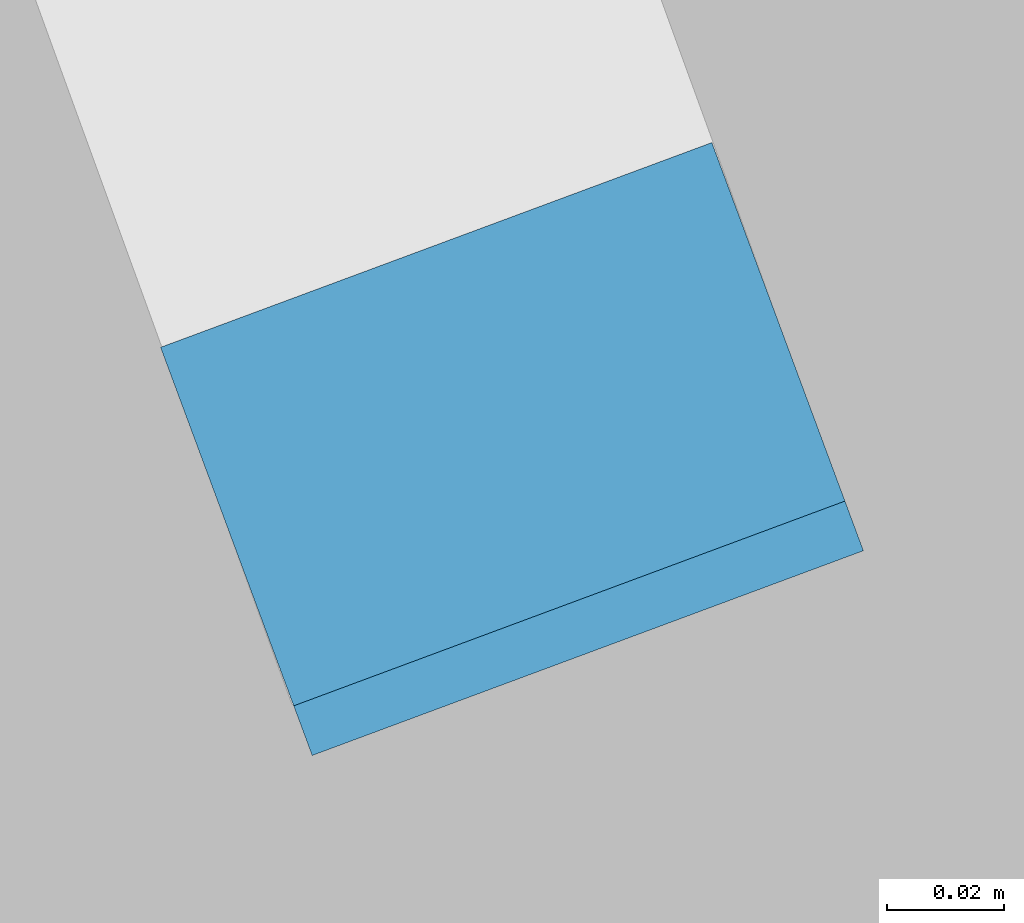
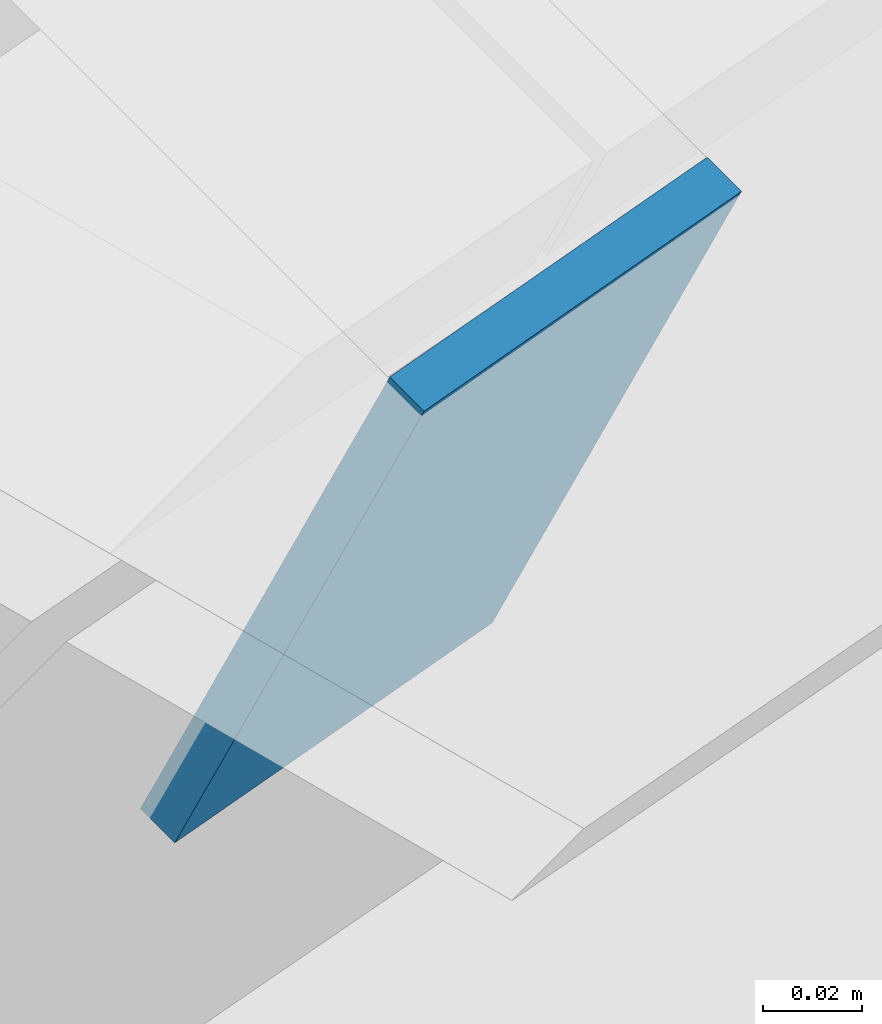
# One storey, part 66 of 95: 1 discrete accessory.
"""IFC4 building model written with IfcOpenShell, lengths in metres."""

from ifc_helpers import new_model, si_unit, direction, frame, origin, origin_2d, place, context, subcontext, project, spatial, rectangle, extrude, material, layer, layer_set, type_object, element, save


model = new_model("IFC4")

# Units and contexts
model_context = context("Model", 3, precision=1e-05, world=origin(), true_north=direction((0.0, 1.0)))
body_context = subcontext(model_context, "Body", "Model", "MODEL_VIEW")
ifc_project = project(units=[si_unit("LENGTHUNIT", "METRE"), si_unit("AREAUNIT", "SQUARE_METRE"), si_unit("VOLUMEUNIT", "CUBIC_METRE"), si_unit("PLANEANGLEUNIT", "RADIAN"), si_unit("MASSUNIT", "GRAM", prefix="KILO")], contexts=[model_context])

# Site, building, storey
site_placement = place(None, origin())
site = spatial("IfcSite", under=ifc_project, at=site_placement, CompositionType="ELEMENT")
building_placement = place(site_placement, origin())
building = spatial("IfcBuilding", under=site, at=building_placement, Name="Windward Yard Aquatics Centre", CompositionType="ELEMENT")
storey_placement = place(building_placement, frame((0.0, 0.0, 9.39990234375)))
storey = spatial("IfcBuildingStorey", under=building, at=storey_placement, Name="L02", CompositionType="ELEMENT", Elevation=9.39990234375)

# Discrete accessory
ifc_material = material(Name="Steel S355", Category="steel")
ifc_layer = layer(ifc_material, 0.010009765625)
ifc_layer_set = layer_set([ifc_layer], Name="End cap plate 10 mm RHS100x150x6")
discrete_accessory_type = type_object("IfcDiscreteAccessoryType", Name="End cap plate 10 mm RHS100x150x6", PredefinedType="USERDEFINED", material=ifc_layer_set)
discrete_accessory_placement = place(storey_placement, frame((33.870361328125, 84.2646484375, 4.645751953125), z_axis=(-0.313640236425, 0.844416021143, 0.434271096588), x_axis=(-0.93742527201, -0.348186529604, 0.0)))
element("IfcDiscreteAccessory", 1, at=discrete_accessory_placement, inside=storey, type_object=discrete_accessory_type, Name="End cap", ObjectType="END CAP", PredefinedType="USERDEFINED", context=body_context, shape_type="SweptSolid", body=[
    extrude(rectangle(XDim=0.10009765625, YDim=0.14990234375, at=origin_2d()), origin(), (0.0, 0.0, 1.0), 0.010009765625),
])

save(model, "model.ifc")
